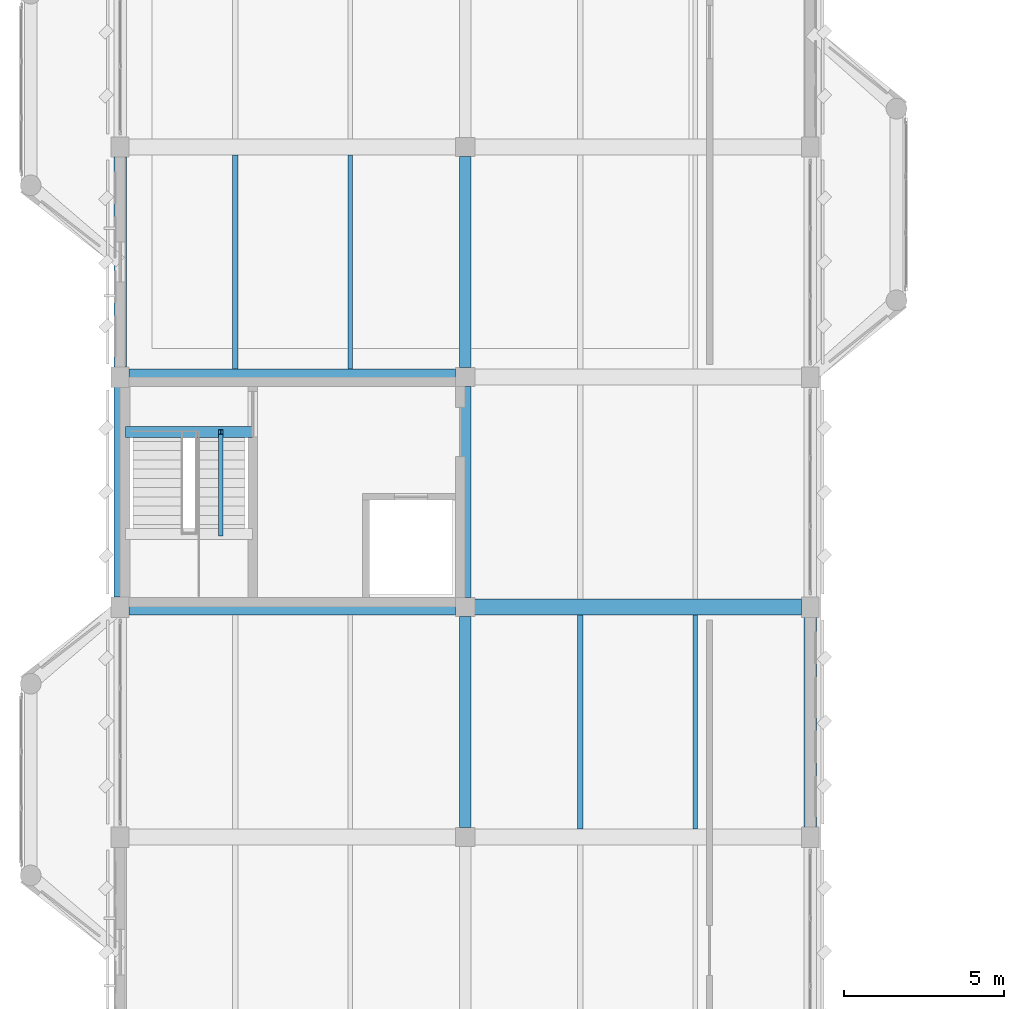
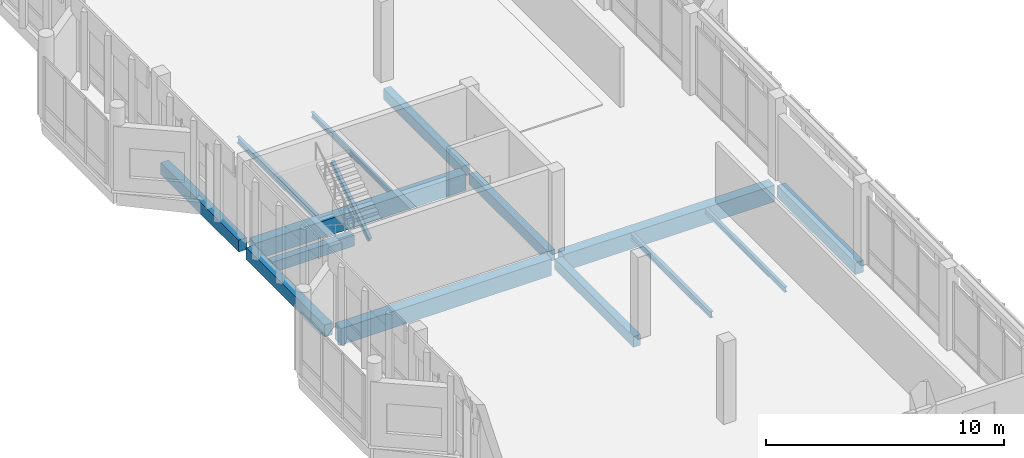
# One storey, part 29 of 158: 15 beams.
"""IFC4 building model written with IfcOpenShell, lengths in metres."""

from ifc_helpers import new_model, si_unit, direction, frame, origin, origin_2d, place, context, subcontext, project, spatial, rectangle, i_section, extrude, material, material_profile, profile_set, type_object, element, save


model = new_model("IFC4")

# Units and contexts
model_context = context("Model", 3, precision=1e-05, world=origin(), true_north=direction((0.0, 1.0)))
body_context = subcontext(model_context, "Body", "Model", "MODEL_VIEW")
ifc_project = project(units=[si_unit("LENGTHUNIT", "METRE"), si_unit("AREAUNIT", "SQUARE_METRE"), si_unit("VOLUMEUNIT", "CUBIC_METRE"), si_unit("PLANEANGLEUNIT", "RADIAN"), si_unit("MASSUNIT", "GRAM", prefix="KILO")], contexts=[model_context])

# Site, building, storey
site_placement = place(None, origin())
site = spatial("IfcSite", under=ifc_project, at=site_placement, CompositionType="ELEMENT")
building_placement = place(site_placement, origin())
building = spatial("IfcBuilding", under=site, at=building_placement, Name="Lusvemor Sports Hall", CompositionType="ELEMENT")
storey_placement = place(building_placement, frame((0.0, 0.0, 10.800048828125)))
storey = spatial("IfcBuildingStorey", under=building, at=storey_placement, Name="L02", CompositionType="ELEMENT", Elevation=10.800048828125)

# Beams
ifc_material_1 = material(Name="Concrete C40/50", Category="concrete")
ifc_material_profile_1 = material_profile(ifc_material_1, rectangle(XDim=0.35009765625, YDim=0.550048828125, at=origin_2d()), Name="RC350x550")
ifc_profile_set_1 = profile_set([ifc_material_profile_1], Name="Concrete C40/50")
beam_type_1 = type_object("IfcBeamType", Name="BEAM_RC_550", PredefinedType="BEAM", material=ifc_profile_set_1)
for number, where, z_axis, x_axis, name in (
    (1, (10.800048828125, 61.49609375, -0.53515625), (0.0, 1.0, 0.0), (-1.0, 0.0, 0.0), "Beam L02 2:H-J"),
    (2, (10.800048828125, 68.696044921875, -0.53515625), (0.0, 1.0, 0.0), (-1.0, 0.0, 0.0), "Beam L02 2:J-K"),
    (3, (10.800048828125, 75.89599609375, -0.53515625), (0.0, 1.0, 0.0), (-1.0, 0.0, 0.0), "Beam L02 2:K-L"),
):
    element("IfcBeam", number, at=place(storey_placement, frame(where, z_axis=z_axis, x_axis=x_axis)), inside=storey, type_object=beam_type_1, Name=name, PredefinedType="BEAM", context=body_context, shape_type="SweptSolid", body=[
        extrude(rectangle(XDim=0.35009765625, YDim=0.550048828125, at=origin_2d()), origin(), (0.0, 0.0, 1.0), 6.60791015625),
    ])
beam_1_placement = place(storey_placement, frame((0.159912109375, 73.8798828125, -0.455078125), z_axis=(1.0, 0.0, 0.0), x_axis=(0.0, 1.0, 0.0)))
element("IfcBeam", 4, at=beam_1_placement, inside=storey, type_object=beam_type_1, Name="Stair STR-C3-L01 Top-Landing Beam", PredefinedType="BEAM", context=body_context, shape_type="SweptSolid", body=[
    extrude(rectangle(XDim=0.35009765625, YDim=0.550048828125, at=origin_2d()), origin(), (0.0, 0.0, 1.0), 3.97998046875),
])
ifc_material_2 = material(Name="Concrete C40/50", Category="concrete")
ifc_material_profile_2 = material_profile(ifc_material_2, rectangle(XDim=0.5, YDim=0.85009765625, at=origin_2d()), Name="RC500x850")
ifc_profile_set_2 = profile_set([ifc_material_profile_2], Name="Concrete C40/50")
beam_type_2 = type_object("IfcBeamType", Name="GIRD_RC_850", PredefinedType="T_BEAM", material=ifc_profile_set_2)
for number, where, z_axis, x_axis, name in (
    (5, (0.27587890625, 68.39990234375, -0.68505859375), (1.0, 0.0, 0.0), (0.0, 1.0, 0.0), "Beam L02 J:1-2"),
    (6, (11.095947265625, 68.39990234375, -0.68505859375), (1.0, 0.0, 0.0), (0.0, 1.0, 0.0), "Beam L02 J:2-3"),
    (7, (0.27587890625, 75.60009765625, -0.68505859375), (1.0, 0.0, 0.0), (0.0, 1.0, 0.0), "Beam L02 K:1-2"),
):
    element("IfcBeam", number, at=place(storey_placement, frame(where, z_axis=z_axis, x_axis=x_axis)), inside=storey, type_object=beam_type_2, Name=name, PredefinedType="T_BEAM", context=body_context, shape_type="SweptSolid", body=[
        extrude(rectangle(XDim=0.5, YDim=0.85009765625, at=origin_2d()), origin(), (0.0, 0.0, 1.0), 10.22802734375),
    ])
ifc_material_3 = material(Name="Steel S355", Category="steel")
ifc_material_profile_3 = material_profile(ifc_material_3, i_section(OverallWidth=0.14794921875, OverallDepth=0.26611328125, WebThickness=0.007568359375, FlangeThickness=0.012939453125, FilletRadius=0.012939453125, at=origin_2d()), Name="W250x44.8")
ifc_profile_set_3 = profile_set([ifc_material_profile_3], Name="Steel S355")
beam_type_3 = type_object("IfcBeamType", Name="JOIST_ST_250M", PredefinedType="JOIST", material=ifc_profile_set_3)
for number, where, z_axis, x_axis, name in (
    (8, (7.199951171875, 75.845947265625, -0.39697265625), (0.0, 1.0, 0.0), (-1.0, 0.0, 0.0), "Secondary Joist L02 1-2/K-L #2"),
    (9, (18.0, 61.446044921875, -0.39697265625), (0.0, 1.0, 0.0), (-1.0, 0.0, 0.0), "Secondary Joist L02 2-3/H-J #2"),
):
    element("IfcBeam", number, at=place(storey_placement, frame(where, z_axis=z_axis, x_axis=x_axis)), inside=storey, type_object=beam_type_3, Name=name, PredefinedType="JOIST", context=body_context, shape_type="SweptSolid", body=[
        extrude(i_section(OverallWidth=0.14794921875, OverallDepth=0.26611328125, WebThickness=0.007568359375, FlangeThickness=0.012939453125, FilletRadius=0.012939453125, at=origin_2d()), origin(), (0.0, 0.0, 1.0), 6.7080078125),
    ])
beam_2_placement = place(storey_placement, frame((3.14990234375, 70.68994140625, 1.7548828125), z_axis=(0.0, 0.835242474824, 0.549881812983), x_axis=(-1.0, 0.0, 0.0)))
element("IfcBeam", 10, at=beam_2_placement, inside=storey, type_object=beam_type_3, Name="Stair STR-C3-L02 Flight 2 Stringer Beam", PredefinedType="JOIST", context=body_context, shape_type="SweptSolid", body=[
    extrude(i_section(OverallWidth=0.14794921875, OverallDepth=0.26611328125, WebThickness=0.007568359375, FlangeThickness=0.012939453125, FilletRadius=0.012939453125, at=origin_2d()), origin(), (0.0, 0.0, 1.0), 3.819091796875),
])
ifc_material_4 = material(Name="Steel S355", Category="steel")
ifc_material_profile_4 = material_profile(ifc_material_4, i_section(OverallWidth=0.1669921875, OverallDepth=0.31689453125, WebThickness=0.007568359375, FlangeThickness=0.01318359375, FilletRadius=0.014892578125, at=origin_2d()), Name="W310x52.0")
ifc_profile_set_4 = profile_set([ifc_material_profile_4], Name="Steel S355")
beam_type_4 = type_object("IfcBeamType", Name="JOIST_ST_310M", PredefinedType="JOIST", material=ifc_profile_set_4)
for number, where, z_axis, x_axis, name in (
    (11, (3.60009765625, 75.845947265625, -0.422607421875), (0.0, 1.0, 0.0), (-1.0, 0.0, 0.0), "Secondary Joist L02 1-2/K-L #1"),
    (12, (14.39990234375, 61.446044921875, -0.422607421875), (0.0, 1.0, 0.0), (-1.0, 0.0, 0.0), "Secondary Joist L02 2-3/H-J #1"),
):
    element("IfcBeam", number, at=place(storey_placement, frame(where, z_axis=z_axis, x_axis=x_axis)), inside=storey, type_object=beam_type_4, Name=name, PredefinedType="JOIST", context=body_context, shape_type="SweptSolid", body=[
        extrude(i_section(OverallWidth=0.1669921875, OverallDepth=0.31689453125, WebThickness=0.007568359375, FlangeThickness=0.01318359375, FilletRadius=0.014892578125, at=origin_2d()), origin(), (0.0, 0.0, 1.0), 6.7080078125),
    ])
ifc_material_5 = material(Name="Concrete C40/50", Category="concrete")
ifc_material_profile_5 = material_profile(ifc_material_5, rectangle(XDim=0.39990234375, YDim=0.610107421875, at=origin_2d()), Name="RC400x610")
ifc_profile_set_5 = profile_set([ifc_material_profile_5], Name="Concrete C40/50")
beam_type_5 = type_object("IfcBeamType", Name="SPAND_EXT_650", PredefinedType="SPANDREL", material=ifc_profile_set_5)
for number, where, z_axis, x_axis, name in (
    (13, (0.0, 68.716064453125, -0.56494140625), (0.0, 1.0, 0.0), (-1.0, 0.0, 0.0), "Beam L02 1:J-K"),
    (14, (0.0, 75.916015625, -0.56494140625), (0.0, 1.0, 0.0), (-1.0, 0.0, 0.0), "Beam L02 1:K-L"),
    (15, (21.60009765625, 61.51611328125, -0.56494140625), (0.0, 1.0, 0.0), (-1.0, 0.0, 0.0), "Beam L02 3:H-J"),
):
    element("IfcBeam", number, at=place(storey_placement, frame(where, z_axis=z_axis, x_axis=x_axis)), inside=storey, type_object=beam_type_5, Name=name, PredefinedType="SPANDREL", context=body_context, shape_type="SweptSolid", body=[
        extrude(rectangle(XDim=0.39990234375, YDim=0.610107421875, at=origin_2d()), origin(), (0.0, 0.0, 1.0), 6.56787109375),
    ])

save(model, "model.ifc")
